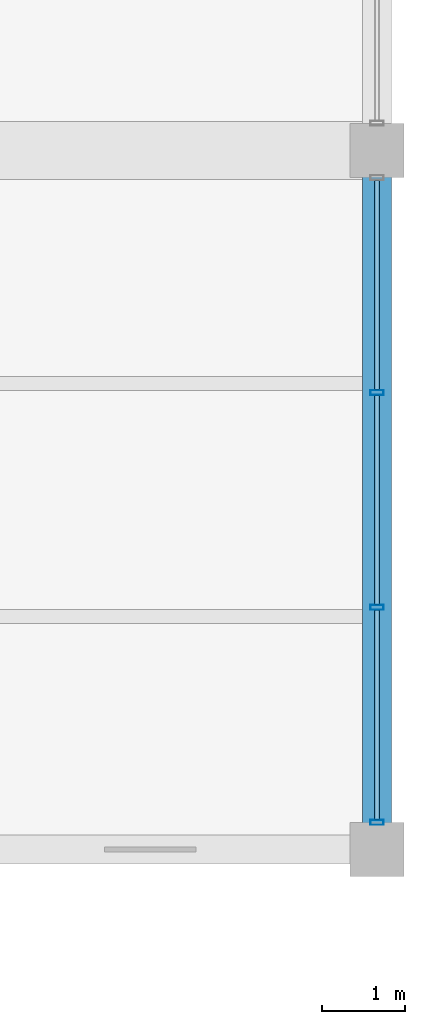
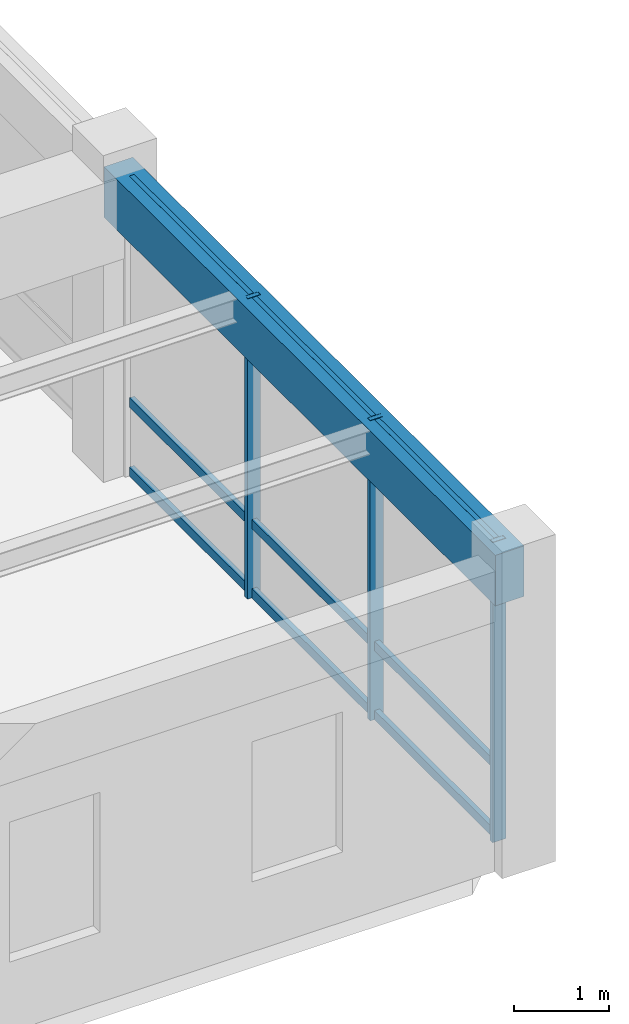
# One storey, part 85 of 138: 12 members, 1 beam, 1 element without a shape of its own.
"""IFC4 building model written with IfcOpenShell, lengths in metres."""

from ifc_helpers import new_model, si_unit, direction, frame, origin, origin_2d, place, context, subcontext, project, spatial, rectangle, hollow_rectangle, extrude, material, material_profile, profile_set, type_object, element, aggregate, save


model = new_model("IFC4")

# Units and contexts
model_context = context("Model", 3, precision=1e-05, world=origin(), true_north=direction((0.0, 1.0)))
body_context = subcontext(model_context, "Body", "Model", "MODEL_VIEW")
ifc_project = project(units=[si_unit("LENGTHUNIT", "METRE"), si_unit("AREAUNIT", "SQUARE_METRE"), si_unit("VOLUMEUNIT", "CUBIC_METRE"), si_unit("PLANEANGLEUNIT", "RADIAN"), si_unit("MASSUNIT", "GRAM", prefix="KILO"), si_unit("THERMODYNAMICTEMPERATUREUNIT", "KELVIN"), si_unit("POWERUNIT", "WATT")], contexts=[model_context])

# Site, building, storey
site_placement = place(None, origin())
site = spatial("IfcSite", under=ifc_project, at=site_placement, CompositionType="ELEMENT")
building_placement = place(site_placement, origin())
building = spatial("IfcBuilding", under=site, at=building_placement, Name="Darbajah Civic Hall", CompositionType="ELEMENT")
storey_placement = place(building_placement, frame((0.0, 0.0, 9.60009765625)))
storey = spatial("IfcBuildingStorey", under=building, at=storey_placement, Name="L02", CompositionType="ELEMENT", Elevation=9.60009765625)

# Curtain wall, members
ifc_material_1 = material(Name="Anodised Bronze Aluminium and Low-E Glazing", Category="aluminium")
curtain_wall_type = type_object("IfcCurtainWallType", Name="Unitised Curtain Wall CW-97 7700x3850", PredefinedType="USERDEFINED", material=ifc_material_1)
curtain_wall_placement = place(storey_placement, origin())
curtain_wall = element("IfcCurtainWall", 1, at=curtain_wall_placement, inside=storey, type_object=curtain_wall_type, Name="L02 unitised curtain wall CW-V4-L02-S1-B0", ObjectType="UNITISED CURTAIN WALL", PredefinedType="USERDEFINED")
ifc_material_2 = material(Name="Anodised Bronze Aluminium", Category="aluminium")
ifc_material_profile_1 = material_profile(ifc_material_2, hollow_rectangle(XDim=0.06005859375, YDim=0.159912109375, WallThickness=0.00341796875, at=origin_2d()), Name="ALU MULLION 60x160")
ifc_profile_set_1 = profile_set([ifc_material_profile_1], Name="Anodised Bronze Aluminium")
member_type_1 = type_object("IfcMemberType", Name="ALU MULLION 60x160", PredefinedType="MULLION", material=ifc_profile_set_1)
member_1_placement = place(storey_placement, frame((178.199951171875, 56.72705078125, 0.0), z_axis=(0.0, 0.0, 1.0), x_axis=(0.0, 1.0, 0.0)))
member_1 = element("IfcMember", 2, at=member_1_placement, type_object=member_type_1, Name="CW-V4-L02-S1-B0 mullion 1", PredefinedType="MULLION", context=body_context, shape_type="SweptSolid", body=[
    extrude(hollow_rectangle(XDim=0.06005859375, YDim=0.159912109375, WallThickness=0.00341796875, at=origin_2d()), origin(), (0.0, 0.0, 1.0), 3.85986328125),
])
member_2_placement = place(storey_placement, frame((178.199951171875, 59.30908203125, 0.0), z_axis=(0.0, 0.0, 1.0), x_axis=(0.0, 1.0, 0.0)))
member_2 = element("IfcMember", 3, at=member_2_placement, type_object=member_type_1, Name="CW-V4-L02-S1-B0 mullion 2", PredefinedType="MULLION", context=body_context, shape_type="SweptSolid", body=[
    extrude(hollow_rectangle(XDim=0.06005859375, YDim=0.159912109375, WallThickness=0.00341796875, at=origin_2d()), origin(), (0.0, 0.0, 1.0), 3.85986328125),
])
member_3_placement = place(storey_placement, frame((178.199951171875, 61.89111328125, 0.0), z_axis=(0.0, 0.0, 1.0), x_axis=(0.0, 1.0, 0.0)))
member_3 = element("IfcMember", 4, at=member_3_placement, type_object=member_type_1, Name="CW-V4-L02-S1-B0 mullion 3", PredefinedType="MULLION", context=body_context, shape_type="SweptSolid", body=[
    extrude(hollow_rectangle(XDim=0.06005859375, YDim=0.159912109375, WallThickness=0.00341796875, at=origin_2d()), origin(), (0.0, 0.0, 1.0), 3.85986328125),
])
ifc_material_profile_2 = material_profile(ifc_material_2, hollow_rectangle(XDim=0.06005859375, YDim=0.1201171875, WallThickness=0.003173828125, at=origin_2d()), Name="ALU TRANSOM 60x120")
ifc_profile_set_2 = profile_set([ifc_material_profile_2], Name="Anodised Bronze Aluminium")
member_type_2 = type_object("IfcMemberType", Name="ALU TRANSOM 60x120", PredefinedType="USERDEFINED", material=ifc_profile_set_2)
member_4_placement = place(storey_placement, frame((178.199951171875, 56.761962890625, 0.059814453125), z_axis=(0.0, 1.0, 0.0), x_axis=(-1.0, 0.0, 0.0)))
member_4 = element("IfcMember", 5, at=member_4_placement, type_object=member_type_2, Name="CW-V4-L02-S1-B0 transom 1.1", ObjectType="TRANSOM", PredefinedType="USERDEFINED", context=body_context, shape_type="SweptSolid", body=[
    extrude(hollow_rectangle(XDim=0.06005859375, YDim=0.1201171875, WallThickness=0.003173828125, at=origin_2d()), origin(), (0.0, 0.0, 1.0), 2.511962890625),
])
member_5_placement = place(storey_placement, frame((178.199951171875, 56.761962890625, 0.949951171875), z_axis=(0.0, 1.0, 0.0), x_axis=(-1.0, 0.0, 0.0)))
member_5 = element("IfcMember", 6, at=member_5_placement, type_object=member_type_2, Name="CW-V4-L02-S1-B0 transom 1.2", ObjectType="TRANSOM", PredefinedType="USERDEFINED", context=body_context, shape_type="SweptSolid", body=[
    extrude(hollow_rectangle(XDim=0.06005859375, YDim=0.1201171875, WallThickness=0.003173828125, at=origin_2d()), origin(), (0.0, 0.0, 1.0), 2.511962890625),
])
member_6_placement = place(storey_placement, frame((178.199951171875, 56.761962890625, 3.7998046875), z_axis=(0.0, 1.0, 0.0), x_axis=(-1.0, 0.0, 0.0)))
member_6 = element("IfcMember", 7, at=member_6_placement, type_object=member_type_2, Name="CW-V4-L02-S1-B0 transom 1.3", ObjectType="TRANSOM", PredefinedType="USERDEFINED", context=body_context, shape_type="SweptSolid", body=[
    extrude(hollow_rectangle(XDim=0.06005859375, YDim=0.1201171875, WallThickness=0.003173828125, at=origin_2d()), origin(), (0.0, 0.0, 1.0), 2.511962890625),
])
member_7_placement = place(storey_placement, frame((178.199951171875, 59.343994140625, 0.059814453125), z_axis=(0.0, 1.0, 0.0), x_axis=(-1.0, 0.0, 0.0)))
member_7 = element("IfcMember", 8, at=member_7_placement, type_object=member_type_2, Name="CW-V4-L02-S1-B0 transom 2.1", ObjectType="TRANSOM", PredefinedType="USERDEFINED", context=body_context, shape_type="SweptSolid", body=[
    extrude(hollow_rectangle(XDim=0.06005859375, YDim=0.1201171875, WallThickness=0.003173828125, at=origin_2d()), origin(), (0.0, 0.0, 1.0), 2.511962890625),
])
member_8_placement = place(storey_placement, frame((178.199951171875, 59.343994140625, 0.949951171875), z_axis=(0.0, 1.0, 0.0), x_axis=(-1.0, 0.0, 0.0)))
member_8 = element("IfcMember", 9, at=member_8_placement, type_object=member_type_2, Name="CW-V4-L02-S1-B0 transom 2.2", ObjectType="TRANSOM", PredefinedType="USERDEFINED", context=body_context, shape_type="SweptSolid", body=[
    extrude(hollow_rectangle(XDim=0.06005859375, YDim=0.1201171875, WallThickness=0.003173828125, at=origin_2d()), origin(), (0.0, 0.0, 1.0), 2.511962890625),
])
member_9_placement = place(storey_placement, frame((178.199951171875, 59.343994140625, 3.7998046875), z_axis=(0.0, 1.0, 0.0), x_axis=(-1.0, 0.0, 0.0)))
member_9 = element("IfcMember", 10, at=member_9_placement, type_object=member_type_2, Name="CW-V4-L02-S1-B0 transom 2.3", ObjectType="TRANSOM", PredefinedType="USERDEFINED", context=body_context, shape_type="SweptSolid", body=[
    extrude(hollow_rectangle(XDim=0.06005859375, YDim=0.1201171875, WallThickness=0.003173828125, at=origin_2d()), origin(), (0.0, 0.0, 1.0), 2.511962890625),
])
member_10_placement = place(storey_placement, frame((178.199951171875, 61.926025390625, 0.059814453125), z_axis=(0.0, 1.0, 0.0), x_axis=(-1.0, 0.0, 0.0)))
member_10 = element("IfcMember", 11, at=member_10_placement, type_object=member_type_2, Name="CW-V4-L02-S1-B0 transom 3.1", ObjectType="TRANSOM", PredefinedType="USERDEFINED", context=body_context, shape_type="SweptSolid", body=[
    extrude(hollow_rectangle(XDim=0.06005859375, YDim=0.1201171875, WallThickness=0.003173828125, at=origin_2d()), origin(), (0.0, 0.0, 1.0), 2.511962890625),
])
member_11_placement = place(storey_placement, frame((178.199951171875, 61.926025390625, 0.949951171875), z_axis=(0.0, 1.0, 0.0), x_axis=(-1.0, 0.0, 0.0)))
member_11 = element("IfcMember", 12, at=member_11_placement, type_object=member_type_2, Name="CW-V4-L02-S1-B0 transom 3.2", ObjectType="TRANSOM", PredefinedType="USERDEFINED", context=body_context, shape_type="SweptSolid", body=[
    extrude(hollow_rectangle(XDim=0.06005859375, YDim=0.1201171875, WallThickness=0.003173828125, at=origin_2d()), origin(), (0.0, 0.0, 1.0), 2.511962890625),
])
member_12_placement = place(storey_placement, frame((178.199951171875, 61.926025390625, 3.7998046875), z_axis=(0.0, 1.0, 0.0), x_axis=(-1.0, 0.0, 0.0)))
member_12 = element("IfcMember", 13, at=member_12_placement, type_object=member_type_2, Name="CW-V4-L02-S1-B0 transom 3.3", ObjectType="TRANSOM", PredefinedType="USERDEFINED", context=body_context, shape_type="SweptSolid", body=[
    extrude(hollow_rectangle(XDim=0.06005859375, YDim=0.1201171875, WallThickness=0.003173828125, at=origin_2d()), origin(), (0.0, 0.0, 1.0), 2.511962890625),
])
aggregate(curtain_wall, [member_1, member_2, member_3, member_4, member_5, member_6, member_7, member_8, member_9, member_10, member_11, member_12])

# Beam
ifc_material_3 = material(Name="Concrete C45/55", Category="concrete")
ifc_material_profile_3 = material_profile(ifc_material_3, rectangle(XDim=0.35009765625, YDim=0.64990234375, at=origin_2d()), Name="RC SPANDREL 350x650")
ifc_profile_set_3 = profile_set([ifc_material_profile_3], Name="Concrete C45/55")
beam_type = type_object("IfcBeamType", Name="RC SPANDREL 350x650", PredefinedType="SPANDREL", material=ifc_profile_set_3)
beam_placement = place(storey_placement, frame((178.199951171875, 56.47998046875, 3.534912109375), z_axis=(0.0, 1.0, 0.0), x_axis=(-1.0, 0.0, 0.0)))
element("IfcBeam", 14, at=beam_placement, inside=storey, type_object=beam_type, Name="L02 beam SP-3565", PredefinedType="SPANDREL", context=body_context, shape_type="SweptSolid", body=[
    extrude(rectangle(XDim=0.35009765625, YDim=0.64990234375, at=origin_2d()), origin(), (0.0, 0.0, 1.0), 8.239990234375),
])

save(model, "model.ifc")
